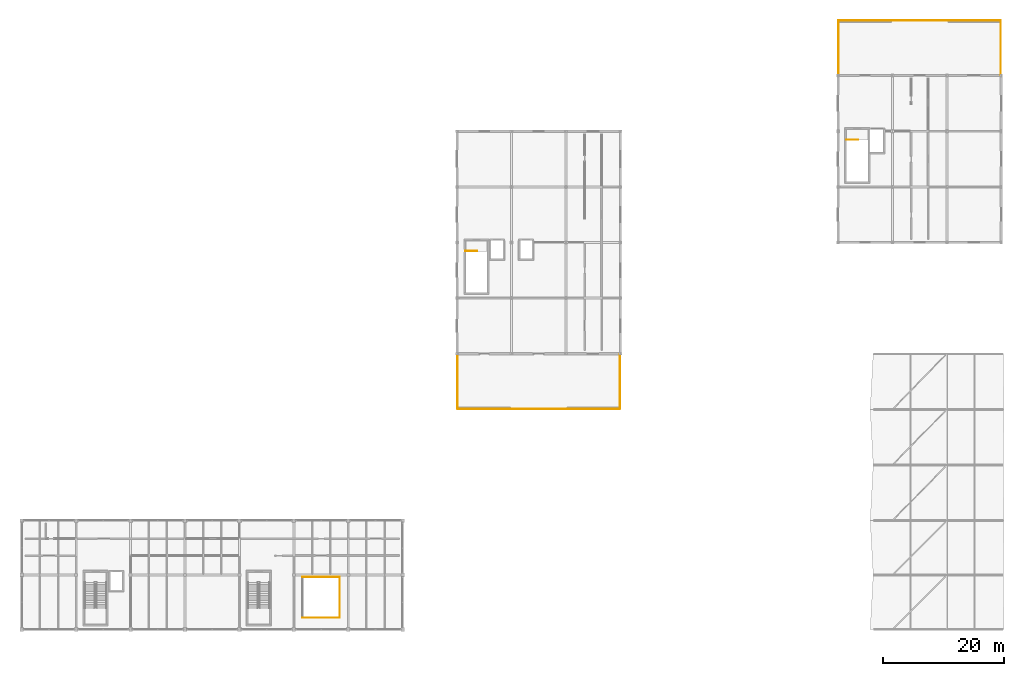
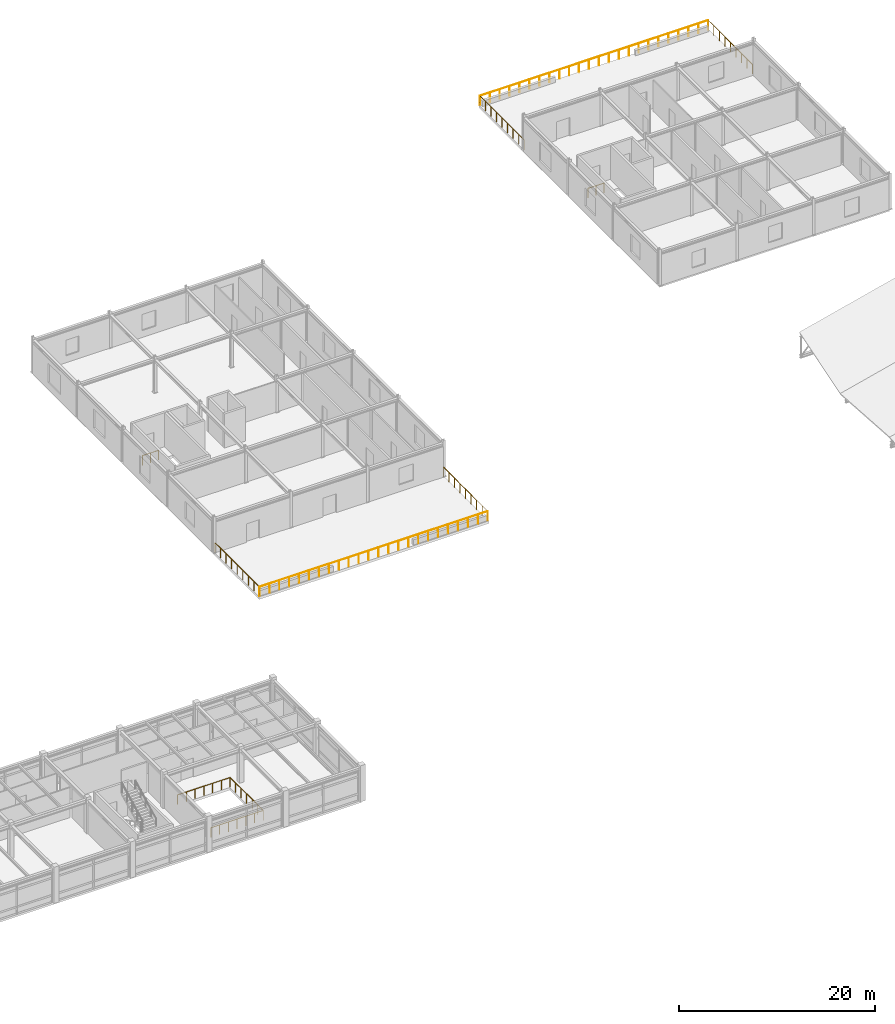
# One storey, part 33 of 33: 11 railings.
"""IFC4 building model written with IfcOpenShell, lengths in metres."""

from ifc_helpers import new_model, si_unit, direction, frame, origin, origin_2d, place, context, subcontext, project, spatial, circle, extrude, material, type_object, element, save


model = new_model("IFC4")

# Units and contexts
model_context = context("Model", 3, precision=1e-05, world=origin(), true_north=direction((0.0, 1.0)))
body_context = subcontext(model_context, "Body", "Model", "MODEL_VIEW")
ifc_project = project(units=[si_unit("LENGTHUNIT", "METRE"), si_unit("AREAUNIT", "SQUARE_METRE"), si_unit("VOLUMEUNIT", "CUBIC_METRE"), si_unit("PLANEANGLEUNIT", "RADIAN"), si_unit("MASSUNIT", "GRAM", prefix="KILO")], contexts=[model_context])

# Site, building, storey
site_placement = place(None, origin())
site = spatial("IfcSite", under=ifc_project, at=site_placement, CompositionType="ELEMENT")
building_placement = place(site_placement, origin())
building = spatial("IfcBuilding", under=site, at=building_placement, Name="Bozkorgan Art Gallery", CompositionType="ELEMENT")
storey_placement = place(building_placement, frame((0.0, 0.0, 19.5)))
storey = spatial("IfcBuildingStorey", under=building, at=storey_placement, Name="L04", CompositionType="ELEMENT", Elevation=19.5)

# Railings
ifc_material = material(Name="Steel S355J2", Category="steel")
railing_type_1 = type_object("IfcRailingType", Name="RAIL-BAL-01", PredefinedType="BALUSTRADE", material=ifc_material)
railing_1_placement = place(storey_placement, frame((74.080078125, 38.47998046875, 0.0)))
element("IfcRailing", 1, at=railing_1_placement, inside=storey, type_object=railing_type_1, Name="L04 Planted Roof Garden perimeter guard (S)", PredefinedType="BALUSTRADE", context=body_context, shape_type="SweptSolid", body=[
    extrude(circle(Radius=0.02392578125, at=origin_2d()), frame((0.0, 0.0, 1.17578125), z_axis=(1.0, 0.0, 0.0), x_axis=(0.0, 1.0, 0.0)), (0.0, 0.0, 1.0), 26.83984375),
    extrude(circle(Radius=0.02099609375, at=origin_2d()), origin(), (0.0, 0.0, 1.0), 1.15185546875),
    extrude(circle(Radius=0.02099609375, at=origin_2d()), frame((1.1669921875, 0.0, 0.0)), (0.0, 0.0, 1.0), 1.15185546875),
    extrude(circle(Radius=0.02099609375, at=origin_2d()), frame((2.333984375, 0.0, 0.0)), (0.0, 0.0, 1.0), 1.15185546875),
    extrude(circle(Radius=0.02099609375, at=origin_2d()), frame((3.500732421875, 0.0, 0.0)), (0.0, 0.0, 1.0), 1.15185546875),
    extrude(circle(Radius=0.02099609375, at=origin_2d()), frame((4.667724609375, 0.0, 0.0)), (0.0, 0.0, 1.0), 1.15185546875),
    extrude(circle(Radius=0.02099609375, at=origin_2d()), frame((5.834716796875, 0.0, 0.0)), (0.0, 0.0, 1.0), 1.15185546875),
    extrude(circle(Radius=0.02099609375, at=origin_2d()), frame((7.001708984375, 0.0, 0.0)), (0.0, 0.0, 1.0), 1.15185546875),
    extrude(circle(Radius=0.02099609375, at=origin_2d()), frame((8.168701171875, 0.0, 0.0)), (0.0, 0.0, 1.0), 1.15185546875),
    extrude(circle(Radius=0.02099609375, at=origin_2d()), frame((9.335693359375, 0.0, 0.0)), (0.0, 0.0, 1.0), 1.15185546875),
    extrude(circle(Radius=0.02099609375, at=origin_2d()), frame((10.50244140625, 0.0, 0.0)), (0.0, 0.0, 1.0), 1.15185546875),
    extrude(circle(Radius=0.02099609375, at=origin_2d()), frame((11.66943359375, 0.0, 0.0)), (0.0, 0.0, 1.0), 1.15185546875),
    extrude(circle(Radius=0.02099609375, at=origin_2d()), frame((12.83642578125, 0.0, 0.0)), (0.0, 0.0, 1.0), 1.15185546875),
    extrude(circle(Radius=0.02099609375, at=origin_2d()), frame((14.00341796875, 0.0, 0.0)), (0.0, 0.0, 1.0), 1.15185546875),
    extrude(circle(Radius=0.02099609375, at=origin_2d()), frame((15.17041015625, 0.0, 0.0)), (0.0, 0.0, 1.0), 1.15185546875),
    extrude(circle(Radius=0.02099609375, at=origin_2d()), frame((16.33740234375, 0.0, 0.0)), (0.0, 0.0, 1.0), 1.15185546875),
    extrude(circle(Radius=0.02099609375, at=origin_2d()), frame((17.504150390625, 0.0, 0.0)), (0.0, 0.0, 1.0), 1.15185546875),
    extrude(circle(Radius=0.02099609375, at=origin_2d()), frame((18.671142578125, 0.0, 0.0)), (0.0, 0.0, 1.0), 1.15185546875),
    extrude(circle(Radius=0.02099609375, at=origin_2d()), frame((19.838134765625, 0.0, 0.0)), (0.0, 0.0, 1.0), 1.15185546875),
    extrude(circle(Radius=0.02099609375, at=origin_2d()), frame((21.005126953125, 0.0, 0.0)), (0.0, 0.0, 1.0), 1.15185546875),
    extrude(circle(Radius=0.02099609375, at=origin_2d()), frame((22.172119140625, 0.0, 0.0)), (0.0, 0.0, 1.0), 1.15185546875),
    extrude(circle(Radius=0.02099609375, at=origin_2d()), frame((23.339111328125, 0.0, 0.0)), (0.0, 0.0, 1.0), 1.15185546875),
    extrude(circle(Radius=0.02099609375, at=origin_2d()), frame((24.505859375, 0.0, 0.0)), (0.0, 0.0, 1.0), 1.15185546875),
    extrude(circle(Radius=0.02099609375, at=origin_2d()), frame((25.6728515625, 0.0, 0.0)), (0.0, 0.0, 1.0), 1.15185546875),
    extrude(circle(Radius=0.02099609375, at=origin_2d()), frame((26.83984375, 0.0, 0.0)), (0.0, 0.0, 1.0), 1.15185546875),
])
for number, where, name in (
    (2, (74.080078125, 38.47998046875, 0.0), "L04 Planted Roof Garden perimeter guard (W)"),
    (3, (100.919921875, 38.47998046875, 0.0), "L04 Planted Roof Garden perimeter guard (E)"),
):
    element("IfcRailing", number, at=place(storey_placement, frame(where)), inside=storey, type_object=railing_type_1, Name=name, PredefinedType="BALUSTRADE", context=body_context, shape_type="SweptSolid", body=[
        extrude(circle(Radius=0.02392578125, at=origin_2d()), frame((0.0, 0.0, 1.17578125), z_axis=(0.0, 1.0, 0.0), x_axis=(-1.0, 0.0, 0.0)), (0.0, 0.0, 1.0), 9.0400390625),
        extrude(circle(Radius=0.02099609375, at=origin_2d()), origin(), (0.0, 0.0, 1.0), 1.15185546875),
        extrude(circle(Radius=0.02099609375, at=origin_2d()), frame((0.0, 1.1298828125, 0.0)), (0.0, 0.0, 1.0), 1.15185546875),
        extrude(circle(Radius=0.02099609375, at=origin_2d()), frame((0.0, 2.260009765625, 0.0)), (0.0, 0.0, 1.0), 1.15185546875),
        extrude(circle(Radius=0.02099609375, at=origin_2d()), frame((0.0, 3.39013671875, 0.0)), (0.0, 0.0, 1.0), 1.15185546875),
        extrude(circle(Radius=0.02099609375, at=origin_2d()), frame((0.0, 4.52001953125, 0.0)), (0.0, 0.0, 1.0), 1.15185546875),
        extrude(circle(Radius=0.02099609375, at=origin_2d()), frame((0.0, 5.64990234375, 0.0)), (0.0, 0.0, 1.0), 1.15185546875),
        extrude(circle(Radius=0.02099609375, at=origin_2d()), frame((0.0, 6.780029296875, 0.0)), (0.0, 0.0, 1.0), 1.15185546875),
        extrude(circle(Radius=0.02099609375, at=origin_2d()), frame((0.0, 7.91015625, 0.0)), (0.0, 0.0, 1.0), 1.15185546875),
        extrude(circle(Radius=0.02099609375, at=origin_2d()), frame((0.0, 9.0400390625, 0.0)), (0.0, 0.0, 1.0), 1.15185546875),
    ])
railing_2_placement = place(storey_placement, frame((137.080078125, 102.719970703125, 0.0)))
element("IfcRailing", 4, at=railing_2_placement, inside=storey, type_object=railing_type_1, Name="L04 North Sculpture Terrace perimeter guard (N)", PredefinedType="BALUSTRADE", context=body_context, shape_type="SweptSolid", body=[
    extrude(circle(Radius=0.02392578125, at=origin_2d()), frame((0.0, 0.0, 1.17578125), z_axis=(1.0, 0.0, 0.0), x_axis=(0.0, 1.0, 0.0)), (0.0, 0.0, 1.0), 26.83984375),
    extrude(circle(Radius=0.02099609375, at=origin_2d()), origin(), (0.0, 0.0, 1.0), 1.15185546875),
    extrude(circle(Radius=0.02099609375, at=origin_2d()), frame((1.1669921875, 0.0, 0.0)), (0.0, 0.0, 1.0), 1.15185546875),
    extrude(circle(Radius=0.02099609375, at=origin_2d()), frame((2.333984375, 0.0, 0.0)), (0.0, 0.0, 1.0), 1.15185546875),
    extrude(circle(Radius=0.02099609375, at=origin_2d()), frame((3.500732421875, 0.0, 0.0)), (0.0, 0.0, 1.0), 1.15185546875),
    extrude(circle(Radius=0.02099609375, at=origin_2d()), frame((4.667724609375, 0.0, 0.0)), (0.0, 0.0, 1.0), 1.15185546875),
    extrude(circle(Radius=0.02099609375, at=origin_2d()), frame((5.834716796875, 0.0, 0.0)), (0.0, 0.0, 1.0), 1.15185546875),
    extrude(circle(Radius=0.02099609375, at=origin_2d()), frame((7.001708984375, 0.0, 0.0)), (0.0, 0.0, 1.0), 1.15185546875),
    extrude(circle(Radius=0.02099609375, at=origin_2d()), frame((8.168701171875, 0.0, 0.0)), (0.0, 0.0, 1.0), 1.15185546875),
    extrude(circle(Radius=0.02099609375, at=origin_2d()), frame((9.335693359375, 0.0, 0.0)), (0.0, 0.0, 1.0), 1.15185546875),
    extrude(circle(Radius=0.02099609375, at=origin_2d()), frame((10.50244140625, 0.0, 0.0)), (0.0, 0.0, 1.0), 1.15185546875),
    extrude(circle(Radius=0.02099609375, at=origin_2d()), frame((11.66943359375, 0.0, 0.0)), (0.0, 0.0, 1.0), 1.15185546875),
    extrude(circle(Radius=0.02099609375, at=origin_2d()), frame((12.83642578125, 0.0, 0.0)), (0.0, 0.0, 1.0), 1.15185546875),
    extrude(circle(Radius=0.02099609375, at=origin_2d()), frame((14.00341796875, 0.0, 0.0)), (0.0, 0.0, 1.0), 1.15185546875),
    extrude(circle(Radius=0.02099609375, at=origin_2d()), frame((15.17041015625, 0.0, 0.0)), (0.0, 0.0, 1.0), 1.15185546875),
    extrude(circle(Radius=0.02099609375, at=origin_2d()), frame((16.33740234375, 0.0, 0.0)), (0.0, 0.0, 1.0), 1.15185546875),
    extrude(circle(Radius=0.02099609375, at=origin_2d()), frame((17.504150390625, 0.0, 0.0)), (0.0, 0.0, 1.0), 1.15185546875),
    extrude(circle(Radius=0.02099609375, at=origin_2d()), frame((18.671142578125, 0.0, 0.0)), (0.0, 0.0, 1.0), 1.15185546875),
    extrude(circle(Radius=0.02099609375, at=origin_2d()), frame((19.838134765625, 0.0, 0.0)), (0.0, 0.0, 1.0), 1.15185546875),
    extrude(circle(Radius=0.02099609375, at=origin_2d()), frame((21.005126953125, 0.0, 0.0)), (0.0, 0.0, 1.0), 1.15185546875),
    extrude(circle(Radius=0.02099609375, at=origin_2d()), frame((22.172119140625, 0.0, 0.0)), (0.0, 0.0, 1.0), 1.15185546875),
    extrude(circle(Radius=0.02099609375, at=origin_2d()), frame((23.339111328125, 0.0, 0.0)), (0.0, 0.0, 1.0), 1.15185546875),
    extrude(circle(Radius=0.02099609375, at=origin_2d()), frame((24.505859375, 0.0, 0.0)), (0.0, 0.0, 1.0), 1.15185546875),
    extrude(circle(Radius=0.02099609375, at=origin_2d()), frame((25.6728515625, 0.0, 0.0)), (0.0, 0.0, 1.0), 1.15185546875),
    extrude(circle(Radius=0.02099609375, at=origin_2d()), frame((26.83984375, 0.0, 0.0)), (0.0, 0.0, 1.0), 1.15185546875),
])
for number, where, name in (
    (5, (137.080078125, 93.679931640625, 0.0), "L04 North Sculpture Terrace perimeter guard (W)"),
    (6, (163.919921875, 93.679931640625, 0.0), "L04 North Sculpture Terrace perimeter guard (E)"),
):
    element("IfcRailing", number, at=place(storey_placement, frame(where)), inside=storey, type_object=railing_type_1, Name=name, PredefinedType="BALUSTRADE", context=body_context, shape_type="SweptSolid", body=[
        extrude(circle(Radius=0.02392578125, at=origin_2d()), frame((0.0, 0.0, 1.17578125), z_axis=(0.0, 1.0, 0.0), x_axis=(-1.0, 0.0, 0.0)), (0.0, 0.0, 1.0), 9.0400390625),
        extrude(circle(Radius=0.02099609375, at=origin_2d()), origin(), (0.0, 0.0, 1.0), 1.15185546875),
        extrude(circle(Radius=0.02099609375, at=origin_2d()), frame((0.0, 1.1298828125, 0.0)), (0.0, 0.0, 1.0), 1.15185546875),
        extrude(circle(Radius=0.02099609375, at=origin_2d()), frame((0.0, 2.260009765625, 0.0)), (0.0, 0.0, 1.0), 1.15185546875),
        extrude(circle(Radius=0.02099609375, at=origin_2d()), frame((0.0, 3.39013671875, 0.0)), (0.0, 0.0, 1.0), 1.15185546875),
        extrude(circle(Radius=0.02099609375, at=origin_2d()), frame((0.0, 4.52001953125, 0.0)), (0.0, 0.0, 1.0), 1.15185546875),
        extrude(circle(Radius=0.02099609375, at=origin_2d()), frame((0.0, 5.64990234375, 0.0)), (0.0, 0.0, 1.0), 1.15185546875),
        extrude(circle(Radius=0.02099609375, at=origin_2d()), frame((0.0, 6.780029296875, 0.0)), (0.0, 0.0, 1.0), 1.15185546875),
        extrude(circle(Radius=0.02099609375, at=origin_2d()), frame((0.0, 7.91015625, 0.0)), (0.0, 0.0, 1.0), 1.15185546875),
        extrude(circle(Radius=0.02099609375, at=origin_2d()), frame((0.0, 9.0400390625, 0.0)), (0.0, 0.0, 1.0), 1.15185546875),
    ])
railing_type_2 = type_object("IfcRailingType", Name="RAIL-BAL-INT", PredefinedType="BALUSTRADE", material=ifc_material)
railing_3_placement = place(storey_placement, frame((48.419921875, 3.919921875, 0.0)))
element("IfcRailing", 7, at=railing_3_placement, inside=storey, type_object=railing_type_2, Name="V1 L04 sculpture_lightwell guard S", PredefinedType="BALUSTRADE", context=body_context, shape_type="SweptSolid", body=[
    extrude(circle(Radius=0.02392578125, at=origin_2d()), frame((0.0, 0.0, 1.17578125), z_axis=(1.0, 0.0, 0.0), x_axis=(0.0, 1.0, 0.0)), (0.0, 0.0, 1.0), 6.16015625),
    extrude(circle(Radius=0.02099609375, at=origin_2d()), origin(), (0.0, 0.0, 1.0), 1.15185546875),
    extrude(circle(Radius=0.02099609375, at=origin_2d()), frame((1.026611328125, 0.0, 0.0)), (0.0, 0.0, 1.0), 1.15185546875),
    extrude(circle(Radius=0.02099609375, at=origin_2d()), frame((2.053466796875, 0.0, 0.0)), (0.0, 0.0, 1.0), 1.15185546875),
    extrude(circle(Radius=0.02099609375, at=origin_2d()), frame((3.080078125, 0.0, 0.0)), (0.0, 0.0, 1.0), 1.15185546875),
    extrude(circle(Radius=0.02099609375, at=origin_2d()), frame((4.106689453125, 0.0, 0.0)), (0.0, 0.0, 1.0), 1.15185546875),
    extrude(circle(Radius=0.02099609375, at=origin_2d()), frame((5.133544921875, 0.0, 0.0)), (0.0, 0.0, 1.0), 1.15185546875),
    extrude(circle(Radius=0.02099609375, at=origin_2d()), frame((6.16015625, 0.0, 0.0)), (0.0, 0.0, 1.0), 1.15185546875),
])
railing_4_placement = place(storey_placement, frame((54.580078125, 3.919921875, 0.0)))
element("IfcRailing", 8, at=railing_4_placement, inside=storey, type_object=railing_type_2, Name="V1 L04 sculpture_lightwell guard E", PredefinedType="BALUSTRADE", context=body_context, shape_type="SweptSolid", body=[
    extrude(circle(Radius=0.02392578125, at=origin_2d()), frame((0.0, 0.0, 1.17578125), z_axis=(0.0, 1.0, 0.0), x_axis=(-1.0, 0.0, 0.0)), (0.0, 0.0, 1.0), 6.760009765625),
    extrude(circle(Radius=0.02099609375, at=origin_2d()), origin(), (0.0, 0.0, 1.0), 1.15185546875),
    extrude(circle(Radius=0.02099609375, at=origin_2d()), frame((0.0, 1.126708984375, 0.0)), (0.0, 0.0, 1.0), 1.15185546875),
    extrude(circle(Radius=0.02099609375, at=origin_2d()), frame((0.0, 2.25341796875, 0.0)), (0.0, 0.0, 1.0), 1.15185546875),
    extrude(circle(Radius=0.02099609375, at=origin_2d()), frame((0.0, 3.3798828125, 0.0)), (0.0, 0.0, 1.0), 1.15185546875),
    extrude(circle(Radius=0.02099609375, at=origin_2d()), frame((0.0, 4.506591796875, 0.0)), (0.0, 0.0, 1.0), 1.15185546875),
    extrude(circle(Radius=0.02099609375, at=origin_2d()), frame((0.0, 5.63330078125, 0.0)), (0.0, 0.0, 1.0), 1.15185546875),
    extrude(circle(Radius=0.02099609375, at=origin_2d()), frame((0.0, 6.760009765625, 0.0)), (0.0, 0.0, 1.0), 1.15185546875),
])
railing_5_placement = place(storey_placement, frame((48.419921875, 10.679931640625, 0.0)))
element("IfcRailing", 9, at=railing_5_placement, inside=storey, type_object=railing_type_2, Name="V1 L04 sculpture_lightwell guard N1", PredefinedType="BALUSTRADE", context=body_context, shape_type="SweptSolid", body=[
    extrude(circle(Radius=0.02392578125, at=origin_2d()), frame((0.0, 0.0, 1.17578125), z_axis=(1.0, 0.0, 0.0), x_axis=(0.0, 1.0, 0.0)), (0.0, 0.0, 1.0), 6.16015625),
    extrude(circle(Radius=0.02099609375, at=origin_2d()), origin(), (0.0, 0.0, 1.0), 1.15185546875),
    extrude(circle(Radius=0.02099609375, at=origin_2d()), frame((1.026611328125, 0.0, 0.0)), (0.0, 0.0, 1.0), 1.15185546875),
    extrude(circle(Radius=0.02099609375, at=origin_2d()), frame((2.053466796875, 0.0, 0.0)), (0.0, 0.0, 1.0), 1.15185546875),
    extrude(circle(Radius=0.02099609375, at=origin_2d()), frame((3.080078125, 0.0, 0.0)), (0.0, 0.0, 1.0), 1.15185546875),
    extrude(circle(Radius=0.02099609375, at=origin_2d()), frame((4.106689453125, 0.0, 0.0)), (0.0, 0.0, 1.0), 1.15185546875),
    extrude(circle(Radius=0.02099609375, at=origin_2d()), frame((5.133544921875, 0.0, 0.0)), (0.0, 0.0, 1.0), 1.15185546875),
    extrude(circle(Radius=0.02099609375, at=origin_2d()), frame((6.16015625, 0.0, 0.0)), (0.0, 0.0, 1.0), 1.15185546875),
])
railing_type_3 = type_object("IfcRailingType", Name="RAIL-GRD-115", PredefinedType="GUARDRAIL", material=ifc_material)
for number, where, name in (
    (10, (75.39990234375, 64.60009765625, 0.0), "L04 ST2 top well guard 1"),
    (11, (138.39990234375, 83.0, 0.0), "L04 ST3 top well guard 1"),
):
    element("IfcRailing", number, at=place(storey_placement, frame(where)), inside=storey, type_object=railing_type_3, Name=name, PredefinedType="GUARDRAIL", context=body_context, shape_type="SweptSolid", body=[
        extrude(circle(Radius=0.02392578125, at=origin_2d()), frame((0.0, 0.0, 1.17578125), z_axis=(1.0, 0.0, 0.0), x_axis=(0.0, 1.0, 0.0)), (0.0, 0.0, 1.0), 1.900146484375),
        extrude(circle(Radius=0.02099609375, at=origin_2d()), origin(), (0.0, 0.0, 1.0), 1.15185546875),
        extrude(circle(Radius=0.02099609375, at=origin_2d()), frame((0.9501953125, 0.0, 0.0)), (0.0, 0.0, 1.0), 1.15185546875),
        extrude(circle(Radius=0.02099609375, at=origin_2d()), frame((1.900146484375, 0.0, 0.0)), (0.0, 0.0, 1.0), 1.15185546875),
    ])

save(model, "model.ifc")
